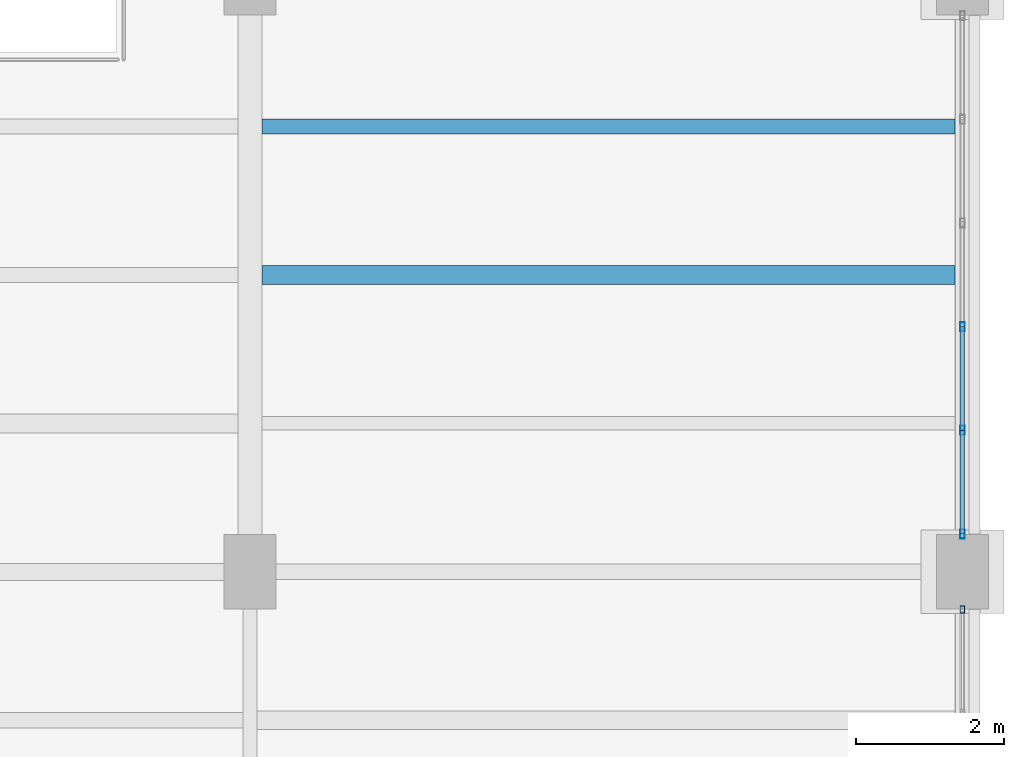
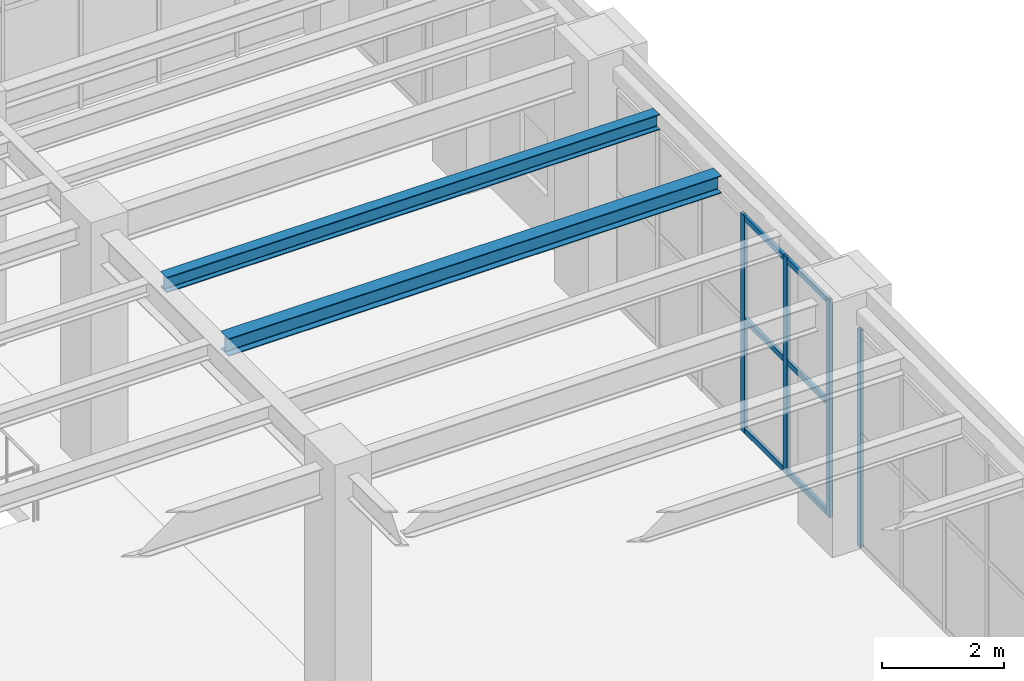
# One storey, part 108 of 174: 10 members, 2 beams, 2 elements without a shape of their own.
"""IFC4 building model written with IfcOpenShell, lengths in metres."""

from ifc_helpers import new_model, si_unit, direction, frame, origin, origin_2d, place, context, subcontext, project, spatial, hollow_rectangle, i_section, extrude, material, material_profile, profile_set, type_object, element, aggregate, save


model = new_model("IFC4")

# Units and contexts
model_context = context("Model", 3, precision=1e-05, world=origin(), true_north=direction((0.0, 1.0)))
body_context = subcontext(model_context, "Body", "Model", "MODEL_VIEW")
ifc_project = project(units=[si_unit("LENGTHUNIT", "METRE"), si_unit("AREAUNIT", "SQUARE_METRE"), si_unit("VOLUMEUNIT", "CUBIC_METRE"), si_unit("PLANEANGLEUNIT", "RADIAN"), si_unit("MASSUNIT", "GRAM", prefix="KILO")], contexts=[model_context])

# Site, building, storey
site_placement = place(None, origin())
site = spatial("IfcSite", under=ifc_project, at=site_placement, CompositionType="ELEMENT")
building_placement = place(site_placement, origin())
building = spatial("IfcBuilding", under=site, at=building_placement, Name="Mavantir Sound Aquarium", CompositionType="ELEMENT")
storey_placement = place(building_placement, frame((0.0, 0.0, 5.39990234375)))
storey = spatial("IfcBuildingStorey", under=building, at=storey_placement, Name="L01", CompositionType="ELEMENT", Elevation=5.39990234375)

# Beams
ifc_material_1 = material(Name="Structural Steel ASTM A992 Gr50", Category="steel")
ifc_material_profile_1 = material_profile(ifc_material_1, i_section(OverallWidth=0.205078125, OverallDepth=0.31005859375, WebThickness=0.009521484375, FlangeThickness=0.016357421875, FilletRadius=0.012939453125, at=origin_2d()), Name="W310X74")
ifc_profile_set_1 = profile_set([ifc_material_profile_1], Name="Structural Steel ASTM A992 Gr50")
beam_type_1 = type_object("IfcBeamType", Name="BM-W310X74-I", PredefinedType="JOIST", material=ifc_profile_set_1)
beam_1_placement = place(storey_placement, frame((165.761962890625, 54.800048828125, 4.651123046875), z_axis=(1.0, 0.0, 0.0), x_axis=(0.0, 1.0, 0.0)))
element("IfcBeam", 1, at=beam_1_placement, inside=storey, type_object=beam_type_1, Name="L01 secondary floor joist SJ-31 771", PredefinedType="JOIST", context=body_context, shape_type="SweptSolid", body=[
    extrude(i_section(OverallWidth=0.205078125, OverallDepth=0.31005859375, WebThickness=0.009521484375, FlangeThickness=0.016357421875, FilletRadius=0.012939453125, at=origin_2d()), origin(), (0.0, 0.0, 1.0), 9.338134765625),
])
ifc_material_profile_2 = material_profile(ifc_material_1, i_section(OverallWidth=0.25390625, OverallDepth=0.35302734375, WebThickness=0.009521484375, FlangeThickness=0.016357421875, FilletRadius=0.014892578125, at=origin_2d()), Name="W360X91")
ifc_profile_set_2 = profile_set([ifc_material_profile_2], Name="Structural Steel ASTM A992 Gr50")
beam_type_2 = type_object("IfcBeamType", Name="BM-W360X91-I", PredefinedType="JOIST", material=ifc_profile_set_2)
beam_2_placement = place(storey_placement, frame((165.761962890625, 52.800048828125, 4.629638671875), z_axis=(1.0, 0.0, 0.0), x_axis=(0.0, 1.0, 0.0)))
element("IfcBeam", 2, at=beam_2_placement, inside=storey, type_object=beam_type_2, Name="L01 secondary floor joist SJ-36 770", PredefinedType="JOIST", context=body_context, shape_type="SweptSolid", body=[
    extrude(i_section(OverallWidth=0.25390625, OverallDepth=0.35302734375, WebThickness=0.009521484375, FlangeThickness=0.016357421875, FilletRadius=0.014892578125, at=origin_2d()), origin(), (0.0, 0.0, 1.0), 9.338134765625),
])

# Curtain wall, member
ifc_material_2 = material(Name="Anodised Marine Aluminium and Low-E Glass", Category="aluminium")
curtain_wall_type_1 = type_object("IfcCurtainWallType", Name="CW-T09", PredefinedType="USERDEFINED", material=ifc_material_2)
curtain_wall_1_placement = place(storey_placement, origin())
curtain_wall_1 = element("IfcCurtainWall", 3, at=curtain_wall_1_placement, inside=storey, type_object=curtain_wall_type_1, Name="L01 unitised curtain wall CW-09 105", ObjectType="UNITISED GLAZING", PredefinedType="USERDEFINED")
ifc_material_3 = material(Name="Anodised Marine Aluminium 6063-T6", Category="aluminium")
ifc_material_profile_3 = material_profile(ifc_material_3, hollow_rectangle(XDim=0.06005859375, YDim=0.10009765625, WallThickness=0.00390625, at=origin_2d()), Name="ALU-MULLION-100X60")
ifc_profile_set_3 = profile_set([ifc_material_profile_3], Name="Anodised Marine Aluminium 6063-T6")
member_type_1 = type_object("IfcMemberType", Name="CW-MUL-100", PredefinedType="MULLION", material=ifc_profile_set_3)
member_1_placement = place(storey_placement, frame((175.199951171875, 48.2919921875, 0.0), z_axis=(0.0, 0.0, 1.0), x_axis=(1.0, 0.0, 0.0)))
member_1 = element("IfcMember", 4, at=member_1_placement, type_object=member_type_1, Name="CW-L01-105 vertical mullion 6", PredefinedType="MULLION", context=body_context, shape_type="SweptSolid", body=[
    extrude(hollow_rectangle(XDim=0.06005859375, YDim=0.10009765625, WallThickness=0.00390625, at=origin_2d()), origin(), (0.0, 0.0, 1.0), 4.359130859375),
])
aggregate(curtain_wall_1, [member_1])

# Curtain wall, members
curtain_wall_type_2 = type_object("IfcCurtainWallType", Name="CW-T10", PredefinedType="USERDEFINED", material=ifc_material_2)
curtain_wall_2_placement = place(storey_placement, origin())
curtain_wall_2 = element("IfcCurtainWall", 5, at=curtain_wall_2_placement, inside=storey, type_object=curtain_wall_type_2, Name="L01 unitised curtain wall CW-10 106", ObjectType="UNITISED GLAZING", PredefinedType="USERDEFINED")
ifc_material_profile_4 = material_profile(ifc_material_3, hollow_rectangle(XDim=0.06494140625, YDim=0.1201171875, WallThickness=0.00390625, at=origin_2d()), Name="ALU-MULLION-120X65")
ifc_profile_set_4 = profile_set([ifc_material_profile_4], Name="Anodised Marine Aluminium 6063-T6")
member_type_2 = type_object("IfcMemberType", Name="CW-MUL-120", PredefinedType="MULLION", material=ifc_profile_set_4)
member_2_placement = place(storey_placement, frame((175.199951171875, 49.30810546875, 0.0), z_axis=(0.0, 0.0, 1.0), x_axis=(1.0, 0.0, 0.0)))
member_2 = element("IfcMember", 6, at=member_2_placement, type_object=member_type_2, Name="CW-L01-106 vertical mullion 1", PredefinedType="MULLION", context=body_context, shape_type="SweptSolid", body=[
    extrude(hollow_rectangle(XDim=0.06494140625, YDim=0.1201171875, WallThickness=0.00390625, at=origin_2d()), origin(), (0.0, 0.0, 1.0), 4.359130859375),
])
member_3_placement = place(storey_placement, frame((175.199951171875, 50.704833984375, 0.0), z_axis=(0.0, 0.0, 1.0), x_axis=(1.0, 0.0, 0.0)))
member_3 = element("IfcMember", 7, at=member_3_placement, type_object=member_type_2, Name="CW-L01-106 vertical mullion 2", PredefinedType="MULLION", context=body_context, shape_type="SweptSolid", body=[
    extrude(hollow_rectangle(XDim=0.06494140625, YDim=0.1201171875, WallThickness=0.00390625, at=origin_2d()), origin(), (0.0, 0.0, 1.0), 4.359130859375),
])
member_4_placement = place(storey_placement, frame((175.199951171875, 52.1015625, 0.0), z_axis=(0.0, 0.0, 1.0), x_axis=(1.0, 0.0, 0.0)))
member_4 = element("IfcMember", 8, at=member_4_placement, type_object=member_type_2, Name="CW-L01-106 vertical mullion 3", PredefinedType="MULLION", context=body_context, shape_type="SweptSolid", body=[
    extrude(hollow_rectangle(XDim=0.06494140625, YDim=0.1201171875, WallThickness=0.00390625, at=origin_2d()), origin(), (0.0, 0.0, 1.0), 4.359130859375),
])
ifc_material_profile_5 = material_profile(ifc_material_3, hollow_rectangle(XDim=0.06005859375, YDim=0.110107421875, WallThickness=0.00390625, at=origin_2d()), Name="ALU-TRANSOM-110X60")
ifc_profile_set_5 = profile_set([ifc_material_profile_5], Name="Anodised Marine Aluminium 6063-T6")
member_type_3 = type_object("IfcMemberType", Name="CW-TRN-110", PredefinedType="USERDEFINED", material=ifc_profile_set_5)
member_5_placement = place(storey_placement, frame((175.199951171875, 49.30810546875, 0.05517578125), z_axis=(0.0, 1.0, 0.0), x_axis=(-1.0, 0.0, 0.0)))
member_5 = element("IfcMember", 9, at=member_5_placement, type_object=member_type_3, Name="CW-L01-106 transom 1.1", ObjectType="TRANSOM", PredefinedType="USERDEFINED", context=body_context, shape_type="SweptSolid", body=[
    extrude(hollow_rectangle(XDim=0.06005859375, YDim=0.110107421875, WallThickness=0.00390625, at=origin_2d()), origin(), (0.0, 0.0, 1.0), 1.396728515625),
])
member_6_placement = place(storey_placement, frame((175.199951171875, 49.30810546875, 2.266845703125), z_axis=(0.0, 1.0, 0.0), x_axis=(-1.0, 0.0, 0.0)))
member_6 = element("IfcMember", 10, at=member_6_placement, type_object=member_type_3, Name="CW-L01-106 transom 1.2", ObjectType="TRANSOM", PredefinedType="USERDEFINED", context=body_context, shape_type="SweptSolid", body=[
    extrude(hollow_rectangle(XDim=0.06005859375, YDim=0.110107421875, WallThickness=0.00390625, at=origin_2d()), origin(), (0.0, 0.0, 1.0), 1.396728515625),
])
member_7_placement = place(storey_placement, frame((175.199951171875, 49.30810546875, 4.30419921875), z_axis=(0.0, 1.0, 0.0), x_axis=(-1.0, 0.0, 0.0)))
member_7 = element("IfcMember", 11, at=member_7_placement, type_object=member_type_3, Name="CW-L01-106 transom 1.3", ObjectType="TRANSOM", PredefinedType="USERDEFINED", context=body_context, shape_type="SweptSolid", body=[
    extrude(hollow_rectangle(XDim=0.06005859375, YDim=0.110107421875, WallThickness=0.00390625, at=origin_2d()), origin(), (0.0, 0.0, 1.0), 1.396728515625),
])
member_8_placement = place(storey_placement, frame((175.199951171875, 50.704833984375, 0.05517578125), z_axis=(0.0, 1.0, 0.0), x_axis=(-1.0, 0.0, 0.0)))
member_8 = element("IfcMember", 12, at=member_8_placement, type_object=member_type_3, Name="CW-L01-106 transom 2.1", ObjectType="TRANSOM", PredefinedType="USERDEFINED", context=body_context, shape_type="SweptSolid", body=[
    extrude(hollow_rectangle(XDim=0.06005859375, YDim=0.110107421875, WallThickness=0.00390625, at=origin_2d()), origin(), (0.0, 0.0, 1.0), 1.396728515625),
])
member_9_placement = place(storey_placement, frame((175.199951171875, 50.704833984375, 2.266845703125), z_axis=(0.0, 1.0, 0.0), x_axis=(-1.0, 0.0, 0.0)))
member_9 = element("IfcMember", 13, at=member_9_placement, type_object=member_type_3, Name="CW-L01-106 transom 2.2", ObjectType="TRANSOM", PredefinedType="USERDEFINED", context=body_context, shape_type="SweptSolid", body=[
    extrude(hollow_rectangle(XDim=0.06005859375, YDim=0.110107421875, WallThickness=0.00390625, at=origin_2d()), origin(), (0.0, 0.0, 1.0), 1.396728515625),
])
member_10_placement = place(storey_placement, frame((175.199951171875, 50.704833984375, 4.30419921875), z_axis=(0.0, 1.0, 0.0), x_axis=(-1.0, 0.0, 0.0)))
member_10 = element("IfcMember", 14, at=member_10_placement, type_object=member_type_3, Name="CW-L01-106 transom 2.3", ObjectType="TRANSOM", PredefinedType="USERDEFINED", context=body_context, shape_type="SweptSolid", body=[
    extrude(hollow_rectangle(XDim=0.06005859375, YDim=0.110107421875, WallThickness=0.00390625, at=origin_2d()), origin(), (0.0, 0.0, 1.0), 1.396728515625),
])
aggregate(curtain_wall_2, [member_2, member_3, member_4, member_5, member_6, member_7, member_8, member_9, member_10])

save(model, "model.ifc")
